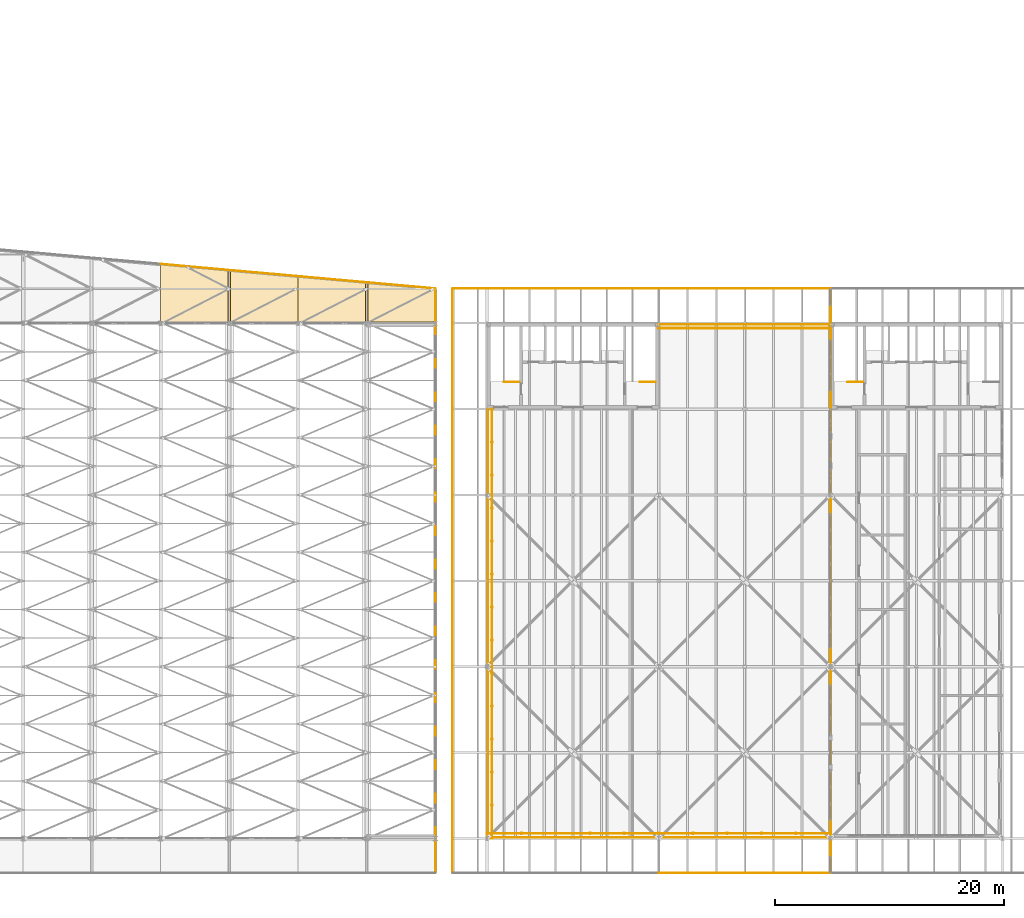
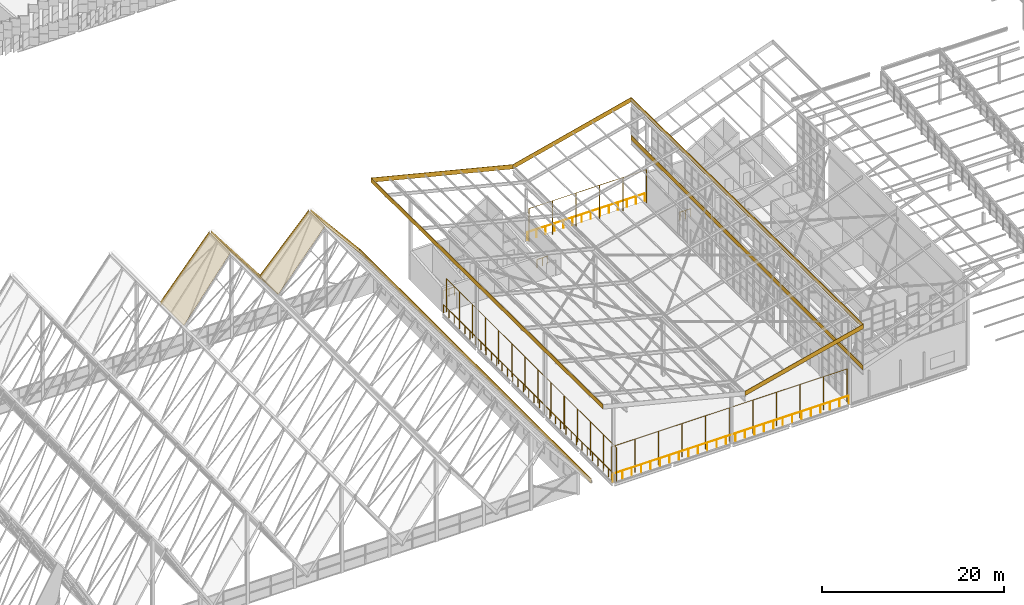
# One storey, part 460 of 483: 15 coverings, 9 railings.
"""IFC4 building model written with IfcOpenShell, lengths in metres."""

from ifc_helpers import new_model, si_unit, direction, frame, origin, origin_2d, place, context, subcontext, project, spatial, polyline, circle, outline, extrude, material, layer, layer_set, type_object, element, save


model = new_model("IFC4")

# Units and contexts
model_context = context("Model", 3, precision=1e-05, world=origin(), true_north=direction((0.0, 1.0)))
body_context = subcontext(model_context, "Body", "Model", "MODEL_VIEW")
ifc_project = project(units=[si_unit("LENGTHUNIT", "METRE"), si_unit("AREAUNIT", "SQUARE_METRE"), si_unit("VOLUMEUNIT", "CUBIC_METRE"), si_unit("PLANEANGLEUNIT", "RADIAN"), si_unit("MASSUNIT", "GRAM", prefix="KILO")], contexts=[model_context])

# Site, building, storey
site_placement = place(None, origin())
site = spatial("IfcSite", under=ifc_project, at=site_placement, CompositionType="ELEMENT")
building_placement = place(site_placement, origin())
building = spatial("IfcBuilding", under=site, at=building_placement, Name="Parallax Yard Mobility Hub", CompositionType="ELEMENT")
storey_placement = place(building_placement, frame((0.0, 0.0, 13.199951171875)))
storey = spatial("IfcBuildingStorey", under=building, at=storey_placement, Name="L04", CompositionType="ELEMENT", Elevation=13.199951171875)

# Railings
ifc_material_1 = material(Name="Galvanised steel posts with polyethylene ball net", Category="steel")
railing_type_1 = type_object("IfcRailingType", Name="Ball-stop cage 4500", PredefinedType="BALUSTRADE", material=ifc_material_1)
railing_1_placement = place(storey_placement, frame((97.949951171875, 7.52099609375, 0.0)))
element("IfcRailing", 1, at=railing_1_placement, inside=storey, type_object=railing_type_1, Name="Ball-stop cage west edge", PredefinedType="BALUSTRADE", context=body_context, shape_type="SweptSolid", body=[
    extrude(circle(Radius=0.030029296875, at=origin_2d()), frame((0.0, 0.0, 4.469970703125), z_axis=(0.0, 1.0, 0.0), x_axis=(-1.0, 0.0, 0.0)), (0.0, 0.0, 1.0), 37.4580078125),
    extrude(circle(Radius=0.05712890625, at=origin_2d()), origin(), (0.0, 0.0, 1.0), 4.43994140625),
    extrude(circle(Radius=0.05712890625, at=origin_2d()), frame((0.0, 2.88134765625, 0.0)), (0.0, 0.0, 1.0), 4.43994140625),
    extrude(circle(Radius=0.05712890625, at=origin_2d()), frame((0.0, 5.7626953125, 0.0)), (0.0, 0.0, 1.0), 4.43994140625),
    extrude(circle(Radius=0.05712890625, at=origin_2d()), frame((0.0, 8.64404296875, 0.0)), (0.0, 0.0, 1.0), 4.43994140625),
    extrude(circle(Radius=0.05712890625, at=origin_2d()), frame((0.0, 11.525634765625, 0.0)), (0.0, 0.0, 1.0), 4.43994140625),
    extrude(circle(Radius=0.05712890625, at=origin_2d()), frame((0.0, 14.406982421875, 0.0)), (0.0, 0.0, 1.0), 4.43994140625),
    extrude(circle(Radius=0.05712890625, at=origin_2d()), frame((0.0, 17.288330078125, 0.0)), (0.0, 0.0, 1.0), 4.43994140625),
    extrude(circle(Radius=0.05712890625, at=origin_2d()), frame((0.0, 20.169677734375, 0.0)), (0.0, 0.0, 1.0), 4.43994140625),
    extrude(circle(Radius=0.05712890625, at=origin_2d()), frame((0.0, 23.051025390625, 0.0)), (0.0, 0.0, 1.0), 4.43994140625),
    extrude(circle(Radius=0.05712890625, at=origin_2d()), frame((0.0, 25.932373046875, 0.0)), (0.0, 0.0, 1.0), 4.43994140625),
    extrude(circle(Radius=0.05712890625, at=origin_2d()), frame((0.0, 28.81396484375, 0.0)), (0.0, 0.0, 1.0), 4.43994140625),
    extrude(circle(Radius=0.05712890625, at=origin_2d()), frame((0.0, 31.6953125, 0.0)), (0.0, 0.0, 1.0), 4.43994140625),
    extrude(circle(Radius=0.05712890625, at=origin_2d()), frame((0.0, 34.57666015625, 0.0)), (0.0, 0.0, 1.0), 4.43994140625),
    extrude(circle(Radius=0.05712890625, at=origin_2d()), frame((0.0, 37.4580078125, 0.0)), (0.0, 0.0, 1.0), 4.43994140625),
])
railing_2_placement = place(storey_placement, frame((97.52099609375, 7.949951171875, 0.0)))
element("IfcRailing", 2, at=railing_2_placement, inside=storey, type_object=railing_type_1, Name="Ball-stop cage south edge", PredefinedType="BALUSTRADE", context=body_context, shape_type="SweptSolid", body=[
    extrude(circle(Radius=0.030029296875, at=origin_2d()), frame((0.0, 0.0, 4.469970703125), z_axis=(1.0, 0.0, 0.0), x_axis=(0.0, 1.0, 0.0)), (0.0, 0.0, 1.0), 29.9580078125),
    extrude(circle(Radius=0.05712890625, at=origin_2d()), origin(), (0.0, 0.0, 1.0), 4.43994140625),
    extrude(circle(Radius=0.05712890625, at=origin_2d()), frame((2.995849609375, 0.0, 0.0)), (0.0, 0.0, 1.0), 4.43994140625),
    extrude(circle(Radius=0.05712890625, at=origin_2d()), frame((5.99169921875, 0.0, 0.0)), (0.0, 0.0, 1.0), 4.43994140625),
    extrude(circle(Radius=0.05712890625, at=origin_2d()), frame((8.9873046875, 0.0, 0.0)), (0.0, 0.0, 1.0), 4.43994140625),
    extrude(circle(Radius=0.05712890625, at=origin_2d()), frame((11.983154296875, 0.0, 0.0)), (0.0, 0.0, 1.0), 4.43994140625),
    extrude(circle(Radius=0.05712890625, at=origin_2d()), frame((14.97900390625, 0.0, 0.0)), (0.0, 0.0, 1.0), 4.43994140625),
    extrude(circle(Radius=0.05712890625, at=origin_2d()), frame((17.974853515625, 0.0, 0.0)), (0.0, 0.0, 1.0), 4.43994140625),
    extrude(circle(Radius=0.05712890625, at=origin_2d()), frame((20.970703125, 0.0, 0.0)), (0.0, 0.0, 1.0), 4.43994140625),
    extrude(circle(Radius=0.05712890625, at=origin_2d()), frame((23.96630859375, 0.0, 0.0)), (0.0, 0.0, 1.0), 4.43994140625),
    extrude(circle(Radius=0.05712890625, at=origin_2d()), frame((26.962158203125, 0.0, 0.0)), (0.0, 0.0, 1.0), 4.43994140625),
    extrude(circle(Radius=0.05712890625, at=origin_2d()), frame((29.9580078125, 0.0, 0.0)), (0.0, 0.0, 1.0), 4.43994140625),
])
railing_3_placement = place(storey_placement, frame((112.52099609375, 52.050048828125, 0.0)))
element("IfcRailing", 3, at=railing_3_placement, inside=storey, type_object=railing_type_1, Name="Ball-stop cage north edge", PredefinedType="BALUSTRADE", context=body_context, shape_type="SweptSolid", body=[
    extrude(circle(Radius=0.030029296875, at=origin_2d()), frame((0.0, 0.0, 4.469970703125), z_axis=(1.0, 0.0, 0.0), x_axis=(0.0, 1.0, 0.0)), (0.0, 0.0, 1.0), 14.9580078125),
    extrude(circle(Radius=0.05712890625, at=origin_2d()), origin(), (0.0, 0.0, 1.0), 4.43994140625),
    extrude(circle(Radius=0.05712890625, at=origin_2d()), frame((2.99169921875, 0.0, 0.0)), (0.0, 0.0, 1.0), 4.43994140625),
    extrude(circle(Radius=0.05712890625, at=origin_2d()), frame((5.983154296875, 0.0, 0.0)), (0.0, 0.0, 1.0), 4.43994140625),
    extrude(circle(Radius=0.05712890625, at=origin_2d()), frame((8.974853515625, 0.0, 0.0)), (0.0, 0.0, 1.0), 4.43994140625),
    extrude(circle(Radius=0.05712890625, at=origin_2d()), frame((11.96630859375, 0.0, 0.0)), (0.0, 0.0, 1.0), 4.43994140625),
    extrude(circle(Radius=0.05712890625, at=origin_2d()), frame((14.9580078125, 0.0, 0.0)), (0.0, 0.0, 1.0), 4.43994140625),
])
ifc_material_2 = material(Name="Galvanised steel tube rail and posts", Category="steel")
railing_type_2 = type_object("IfcRailingType", Name="Deck edge guard 1100", PredefinedType="GUARDRAIL", material=ifc_material_2)
railing_4_placement = place(storey_placement, frame((97.60009765625, 7.52099609375, 0.0)))
element("IfcRailing", 4, at=railing_4_placement, inside=storey, type_object=railing_type_2, Name="Court deck edge guard west edge", PredefinedType="GUARDRAIL", context=body_context, shape_type="SweptSolid", body=[
    extrude(circle(Radius=0.02392578125, at=origin_2d()), frame((0.0, 0.0, 1.076171875), z_axis=(0.0, 1.0, 0.0), x_axis=(-1.0, 0.0, 0.0)), (0.0, 0.0, 1.0), 37.4580078125),
    extrude(circle(Radius=0.02099609375, at=origin_2d()), origin(), (0.0, 0.0, 1.0), 1.052001953125),
    extrude(circle(Radius=0.02099609375, at=origin_2d()), frame((0.0, 1.170654296875, 0.0)), (0.0, 0.0, 1.0), 1.052001953125),
    extrude(circle(Radius=0.02099609375, at=origin_2d()), frame((0.0, 2.341064453125, 0.0)), (0.0, 0.0, 1.0), 1.052001953125),
    extrude(circle(Radius=0.02099609375, at=origin_2d()), frame((0.0, 3.51171875, 0.0)), (0.0, 0.0, 1.0), 1.052001953125),
    extrude(circle(Radius=0.02099609375, at=origin_2d()), frame((0.0, 4.68212890625, 0.0)), (0.0, 0.0, 1.0), 1.052001953125),
    extrude(circle(Radius=0.02099609375, at=origin_2d()), frame((0.0, 5.852783203125, 0.0)), (0.0, 0.0, 1.0), 1.052001953125),
    extrude(circle(Radius=0.02099609375, at=origin_2d()), frame((0.0, 7.0234375, 0.0)), (0.0, 0.0, 1.0), 1.052001953125),
    extrude(circle(Radius=0.02099609375, at=origin_2d()), frame((0.0, 8.19384765625, 0.0)), (0.0, 0.0, 1.0), 1.052001953125),
    extrude(circle(Radius=0.02099609375, at=origin_2d()), frame((0.0, 9.364501953125, 0.0)), (0.0, 0.0, 1.0), 1.052001953125),
    extrude(circle(Radius=0.02099609375, at=origin_2d()), frame((0.0, 10.53515625, 0.0)), (0.0, 0.0, 1.0), 1.052001953125),
    extrude(circle(Radius=0.02099609375, at=origin_2d()), frame((0.0, 11.70556640625, 0.0)), (0.0, 0.0, 1.0), 1.052001953125),
    extrude(circle(Radius=0.02099609375, at=origin_2d()), frame((0.0, 12.876220703125, 0.0)), (0.0, 0.0, 1.0), 1.052001953125),
    extrude(circle(Radius=0.02099609375, at=origin_2d()), frame((0.0, 14.046875, 0.0)), (0.0, 0.0, 1.0), 1.052001953125),
    extrude(circle(Radius=0.02099609375, at=origin_2d()), frame((0.0, 15.21728515625, 0.0)), (0.0, 0.0, 1.0), 1.052001953125),
    extrude(circle(Radius=0.02099609375, at=origin_2d()), frame((0.0, 16.387939453125, 0.0)), (0.0, 0.0, 1.0), 1.052001953125),
    extrude(circle(Radius=0.02099609375, at=origin_2d()), frame((0.0, 17.558349609375, 0.0)), (0.0, 0.0, 1.0), 1.052001953125),
    extrude(circle(Radius=0.02099609375, at=origin_2d()), frame((0.0, 18.72900390625, 0.0)), (0.0, 0.0, 1.0), 1.052001953125),
    extrude(circle(Radius=0.02099609375, at=origin_2d()), frame((0.0, 19.899658203125, 0.0)), (0.0, 0.0, 1.0), 1.052001953125),
    extrude(circle(Radius=0.02099609375, at=origin_2d()), frame((0.0, 21.070068359375, 0.0)), (0.0, 0.0, 1.0), 1.052001953125),
    extrude(circle(Radius=0.02099609375, at=origin_2d()), frame((0.0, 22.24072265625, 0.0)), (0.0, 0.0, 1.0), 1.052001953125),
    extrude(circle(Radius=0.02099609375, at=origin_2d()), frame((0.0, 23.4111328125, 0.0)), (0.0, 0.0, 1.0), 1.052001953125),
    extrude(circle(Radius=0.02099609375, at=origin_2d()), frame((0.0, 24.581787109375, 0.0)), (0.0, 0.0, 1.0), 1.052001953125),
    extrude(circle(Radius=0.02099609375, at=origin_2d()), frame((0.0, 25.75244140625, 0.0)), (0.0, 0.0, 1.0), 1.052001953125),
    extrude(circle(Radius=0.02099609375, at=origin_2d()), frame((0.0, 26.9228515625, 0.0)), (0.0, 0.0, 1.0), 1.052001953125),
    extrude(circle(Radius=0.02099609375, at=origin_2d()), frame((0.0, 28.093505859375, 0.0)), (0.0, 0.0, 1.0), 1.052001953125),
    extrude(circle(Radius=0.02099609375, at=origin_2d()), frame((0.0, 29.26416015625, 0.0)), (0.0, 0.0, 1.0), 1.052001953125),
    extrude(circle(Radius=0.02099609375, at=origin_2d()), frame((0.0, 30.4345703125, 0.0)), (0.0, 0.0, 1.0), 1.052001953125),
    extrude(circle(Radius=0.02099609375, at=origin_2d()), frame((0.0, 31.605224609375, 0.0)), (0.0, 0.0, 1.0), 1.052001953125),
    extrude(circle(Radius=0.02099609375, at=origin_2d()), frame((0.0, 32.77587890625, 0.0)), (0.0, 0.0, 1.0), 1.052001953125),
    extrude(circle(Radius=0.02099609375, at=origin_2d()), frame((0.0, 33.9462890625, 0.0)), (0.0, 0.0, 1.0), 1.052001953125),
    extrude(circle(Radius=0.02099609375, at=origin_2d()), frame((0.0, 35.116943359375, 0.0)), (0.0, 0.0, 1.0), 1.052001953125),
    extrude(circle(Radius=0.02099609375, at=origin_2d()), frame((0.0, 36.287353515625, 0.0)), (0.0, 0.0, 1.0), 1.052001953125),
    extrude(circle(Radius=0.02099609375, at=origin_2d()), frame((0.0, 37.4580078125, 0.0)), (0.0, 0.0, 1.0), 1.052001953125),
])
railing_5_placement = place(storey_placement, frame((97.52099609375, 7.60009765625, 0.0)))
element("IfcRailing", 5, at=railing_5_placement, inside=storey, type_object=railing_type_2, Name="Court deck edge guard south edge", PredefinedType="GUARDRAIL", context=body_context, shape_type="SweptSolid", body=[
    extrude(circle(Radius=0.02392578125, at=origin_2d()), frame((0.0, 0.0, 1.076171875), z_axis=(1.0, 0.0, 0.0), x_axis=(0.0, 1.0, 0.0)), (0.0, 0.0, 1.0), 29.9580078125),
    extrude(circle(Radius=0.02099609375, at=origin_2d()), origin(), (0.0, 0.0, 1.0), 1.052001953125),
    extrude(circle(Radius=0.02099609375, at=origin_2d()), frame((1.1982421875, 0.0, 0.0)), (0.0, 0.0, 1.0), 1.052001953125),
    extrude(circle(Radius=0.02099609375, at=origin_2d()), frame((2.396728515625, 0.0, 0.0)), (0.0, 0.0, 1.0), 1.052001953125),
    extrude(circle(Radius=0.02099609375, at=origin_2d()), frame((3.594970703125, 0.0, 0.0)), (0.0, 0.0, 1.0), 1.052001953125),
    extrude(circle(Radius=0.02099609375, at=origin_2d()), frame((4.793212890625, 0.0, 0.0)), (0.0, 0.0, 1.0), 1.052001953125),
    extrude(circle(Radius=0.02099609375, at=origin_2d()), frame((5.99169921875, 0.0, 0.0)), (0.0, 0.0, 1.0), 1.052001953125),
    extrude(circle(Radius=0.02099609375, at=origin_2d()), frame((7.18994140625, 0.0, 0.0)), (0.0, 0.0, 1.0), 1.052001953125),
    extrude(circle(Radius=0.02099609375, at=origin_2d()), frame((8.38818359375, 0.0, 0.0)), (0.0, 0.0, 1.0), 1.052001953125),
    extrude(circle(Radius=0.02099609375, at=origin_2d()), frame((9.586669921875, 0.0, 0.0)), (0.0, 0.0, 1.0), 1.052001953125),
    extrude(circle(Radius=0.02099609375, at=origin_2d()), frame((10.784912109375, 0.0, 0.0)), (0.0, 0.0, 1.0), 1.052001953125),
    extrude(circle(Radius=0.02099609375, at=origin_2d()), frame((11.983154296875, 0.0, 0.0)), (0.0, 0.0, 1.0), 1.052001953125),
    extrude(circle(Radius=0.02099609375, at=origin_2d()), frame((13.181640625, 0.0, 0.0)), (0.0, 0.0, 1.0), 1.052001953125),
    extrude(circle(Radius=0.02099609375, at=origin_2d()), frame((14.3798828125, 0.0, 0.0)), (0.0, 0.0, 1.0), 1.052001953125),
    extrude(circle(Radius=0.02099609375, at=origin_2d()), frame((15.578125, 0.0, 0.0)), (0.0, 0.0, 1.0), 1.052001953125),
    extrude(circle(Radius=0.02099609375, at=origin_2d()), frame((16.7763671875, 0.0, 0.0)), (0.0, 0.0, 1.0), 1.052001953125),
    extrude(circle(Radius=0.02099609375, at=origin_2d()), frame((17.974853515625, 0.0, 0.0)), (0.0, 0.0, 1.0), 1.052001953125),
    extrude(circle(Radius=0.02099609375, at=origin_2d()), frame((19.173095703125, 0.0, 0.0)), (0.0, 0.0, 1.0), 1.052001953125),
    extrude(circle(Radius=0.02099609375, at=origin_2d()), frame((20.371337890625, 0.0, 0.0)), (0.0, 0.0, 1.0), 1.052001953125),
    extrude(circle(Radius=0.02099609375, at=origin_2d()), frame((21.56982421875, 0.0, 0.0)), (0.0, 0.0, 1.0), 1.052001953125),
    extrude(circle(Radius=0.02099609375, at=origin_2d()), frame((22.76806640625, 0.0, 0.0)), (0.0, 0.0, 1.0), 1.052001953125),
    extrude(circle(Radius=0.02099609375, at=origin_2d()), frame((23.96630859375, 0.0, 0.0)), (0.0, 0.0, 1.0), 1.052001953125),
    extrude(circle(Radius=0.02099609375, at=origin_2d()), frame((25.164794921875, 0.0, 0.0)), (0.0, 0.0, 1.0), 1.052001953125),
    extrude(circle(Radius=0.02099609375, at=origin_2d()), frame((26.363037109375, 0.0, 0.0)), (0.0, 0.0, 1.0), 1.052001953125),
    extrude(circle(Radius=0.02099609375, at=origin_2d()), frame((27.561279296875, 0.0, 0.0)), (0.0, 0.0, 1.0), 1.052001953125),
    extrude(circle(Radius=0.02099609375, at=origin_2d()), frame((28.759765625, 0.0, 0.0)), (0.0, 0.0, 1.0), 1.052001953125),
    extrude(circle(Radius=0.02099609375, at=origin_2d()), frame((29.9580078125, 0.0, 0.0)), (0.0, 0.0, 1.0), 1.052001953125),
])
railing_6_placement = place(storey_placement, frame((112.52099609375, 52.39990234375, 0.0)))
element("IfcRailing", 6, at=railing_6_placement, inside=storey, type_object=railing_type_2, Name="Court deck edge guard north edge", PredefinedType="GUARDRAIL", context=body_context, shape_type="SweptSolid", body=[
    extrude(circle(Radius=0.02392578125, at=origin_2d()), frame((0.0, 0.0, 1.076171875), z_axis=(1.0, 0.0, 0.0), x_axis=(0.0, 1.0, 0.0)), (0.0, 0.0, 1.0), 14.9580078125),
    extrude(circle(Radius=0.02099609375, at=origin_2d()), origin(), (0.0, 0.0, 1.0), 1.052001953125),
    extrude(circle(Radius=0.02099609375, at=origin_2d()), frame((1.150634765625, 0.0, 0.0)), (0.0, 0.0, 1.0), 1.052001953125),
    extrude(circle(Radius=0.02099609375, at=origin_2d()), frame((2.30126953125, 0.0, 0.0)), (0.0, 0.0, 1.0), 1.052001953125),
    extrude(circle(Radius=0.02099609375, at=origin_2d()), frame((3.451904296875, 0.0, 0.0)), (0.0, 0.0, 1.0), 1.052001953125),
    extrude(circle(Radius=0.02099609375, at=origin_2d()), frame((4.6025390625, 0.0, 0.0)), (0.0, 0.0, 1.0), 1.052001953125),
    extrude(circle(Radius=0.02099609375, at=origin_2d()), frame((5.753173828125, 0.0, 0.0)), (0.0, 0.0, 1.0), 1.052001953125),
    extrude(circle(Radius=0.02099609375, at=origin_2d()), frame((6.90380859375, 0.0, 0.0)), (0.0, 0.0, 1.0), 1.052001953125),
    extrude(circle(Radius=0.02099609375, at=origin_2d()), frame((8.05419921875, 0.0, 0.0)), (0.0, 0.0, 1.0), 1.052001953125),
    extrude(circle(Radius=0.02099609375, at=origin_2d()), frame((9.204833984375, 0.0, 0.0)), (0.0, 0.0, 1.0), 1.052001953125),
    extrude(circle(Radius=0.02099609375, at=origin_2d()), frame((10.35546875, 0.0, 0.0)), (0.0, 0.0, 1.0), 1.052001953125),
    extrude(circle(Radius=0.02099609375, at=origin_2d()), frame((11.506103515625, 0.0, 0.0)), (0.0, 0.0, 1.0), 1.052001953125),
    extrude(circle(Radius=0.02099609375, at=origin_2d()), frame((12.65673828125, 0.0, 0.0)), (0.0, 0.0, 1.0), 1.052001953125),
    extrude(circle(Radius=0.02099609375, at=origin_2d()), frame((13.807373046875, 0.0, 0.0)), (0.0, 0.0, 1.0), 1.052001953125),
    extrude(circle(Radius=0.02099609375, at=origin_2d()), frame((14.9580078125, 0.0, 0.0)), (0.0, 0.0, 1.0), 1.052001953125),
])

# Coverings
ifc_material_3 = material(Name="Perforated aluminium soffit panels", Category="aluminium")
ifc_layer_1 = layer(ifc_material_3, 0.02001953125)
ifc_layer_set_1 = layer_set([ifc_layer_1], Name="Eaves soffit lining 20")
covering_type_1 = type_object("IfcCoveringType", Name="Eaves soffit lining 20", PredefinedType="CEILING", material=ifc_layer_set_1)
covering_1_placement = place(storey_placement, frame((75.094482421875, 57.0986328125, 11.365478515625), z_axis=(0.793728576606, 0.0, 0.608272099212), x_axis=(0.607376784571, -0.054236795844, -0.7925602889)))
element("IfcCovering", 7, at=covering_1_placement, inside=storey, type_object=covering_type_1, Name="Eaves soffit north under roof plate P12", PredefinedType="CEILING", context=body_context, shape_type="SweptSolid", body=[
    extrude(outline(polyline([(0.0, 0.0), (9.722988642539297, -1.1102230246251565e-16), (9.93783044248331, -3.955351184284575), (0.24344323525243036, -4.481918737939717), (0.0, 0.0)])), origin(), (0.0, 0.0, -1.0), 0.02001953125),
])
covering_2_placement = place(storey_placement, frame((81.0, 56.5712890625, 3.650634765625), z_axis=(-0.766460807991, 0.0, 0.642291078728), x_axis=(0.641237499516, -0.057253821281, 0.765203547537)))
element("IfcCovering", 8, at=covering_2_placement, inside=storey, type_object=covering_type_1, Name="Eaves soffit north under roof plate P13", PredefinedType="CEILING", context=body_context, shape_type="SweptSolid", body=[
    extrude(outline(polyline([(0.0, 0.0), (9.214893937631171, 5.551115123125783e-17), (9.411480300543921, -3.4279614703137775), (0.2267927857124153, -3.9546839345734526), (0.0, 0.0)])), origin(), (0.0, 0.0, -1.0), 0.02001953125),
])
covering_3_placement = place(storey_placement, frame((87.091064453125, 56.027587890625, 10.701904296875), z_axis=(0.766460807991, 0.0, 0.642291078728), x_axis=(0.641237499516, -0.057253821281, -0.765203547537)))
element("IfcCovering", 9, at=covering_3_placement, inside=storey, type_object=covering_type_1, Name="Eaves soffit north under roof plate P14", PredefinedType="CEILING", context=body_context, shape_type="SweptSolid", body=[
    extrude(outline(polyline([(0.0, 0.0), (9.214893937631171, 5.551115123125783e-17), (9.380351330819327, -2.8851521561507525), (0.1956638159878206, -3.4118746204104275), (0.0, 0.0)])), origin(), (0.0, 0.0, -1.0), 0.02001953125),
])
covering_4_placement = place(storey_placement, frame((69.0, 57.642822265625, 3.659423828125), z_axis=(-0.793728576606, 0.0, 0.608272099212), x_axis=(0.607376784571, -0.054236795844, 0.7925602889)))
element("IfcCovering", 10, at=covering_4_placement, inside=storey, type_object=covering_type_1, Name="Eaves soffit north under roof plate P11", PredefinedType="CEILING", context=body_context, shape_type="SweptSolid", body=[
    extrude(outline(polyline([(0.0, 0.0), (9.722988642539297, -1.1102230246251565e-16), (9.967345534752969, -4.498739645903701), (0.2729583275220886, -5.025307199558843), (0.0, 0.0)])), origin(), (0.0, 0.0, -1.0), 0.02001953125),
])
ifc_material_4 = material(Name="Aluminium composite fascia panel", Category="aluminium")
ifc_layer_2 = layer(ifc_material_4, 0.0400390625)
ifc_layer_set_2 = layer_set([ifc_layer_2], Name="Roof fascia 600")
covering_type_2 = type_object("IfcCoveringType", Name="Roof fascia 600", PredefinedType="CLADDING", material=ifc_layer_set_2)
covering_5_placement = place(storey_placement, frame((81.0, 56.5712890625, 3.856689453125), z_axis=(-0.08894288036, -0.996036728255, 0.0), x_axis=(-0.607376784571, 0.054236795844, 0.7925602889)))
element("IfcCovering", 11, at=covering_5_placement, inside=storey, type_object=covering_type_2, Name="Fascia on roof edge V1-P12-PL edge 3", PredefinedType="CLADDING", context=body_context, shape_type="SweptSolid", body=[
    extrude(outline(polyline([(0.0, 0.0), (9.722988642539297, 0.0), (9.24737507073373, 0.36593568745217286), (-0.47542007564128486, 0.3657868120707841), (0.0, 0.0)])), origin(), (0.0, 0.0, -1.0), 0.0400390625),
])
covering_6_placement = place(storey_placement, frame((86.908935546875, 56.043701171875, 10.888671875), z_axis=(-0.088932667046, -0.996037640219, 0.0), x_axis=(-0.641237499516, 0.057253821281, -0.765203547537)))
element("IfcCovering", 12, at=covering_6_placement, inside=storey, type_object=covering_type_2, Name="Fascia on roof edge V1-P13-PL edge 3", PredefinedType="CLADDING", context=body_context, shape_type="SweptSolid", body=[
    extrude(outline(polyline([(0.0, 0.0), (9.214893937631171, 0.0), (9.673903975789795, 0.38617874757331005), (0.45901003815862423, 0.3861787475733102), (0.0, 0.0)])), origin(), (0.0, 0.0, -1.0), 0.0400390625),
])
covering_7_placement = place(storey_placement, frame((93.0, 4.5, 3.83740234375), z_axis=(-1.0, 0.0, 0.0), x_axis=(0.0, 1.0, 0.0)))
element("IfcCovering", 13, at=covering_7_placement, inside=storey, type_object=covering_type_2, Name="Fascia on roof edge V1-P14-PL edge 2", PredefinedType="CLADDING", context=body_context, shape_type="SweptSolid", body=[
    extrude(outline(polyline([(0.0, 0.0), (51.0, 0.0), (51.0, 0.599853515625), (0.0, 0.599853515625), (0.0, 0.0)])), origin(), (0.0, 0.0, -1.0), 0.0400390625),
])
covering_8_placement = place(storey_placement, frame((93.0, 55.5, 3.83740234375), z_axis=(-0.088932667046, -0.996037640219, 0.0), x_axis=(-0.641237499516, 0.057253821281, 0.765203547537)))
element("IfcCovering", 14, at=covering_8_placement, inside=storey, type_object=covering_type_2, Name="Fascia on roof edge V1-P14-PL edge 3", PredefinedType="CLADDING", context=body_context, shape_type="SweptSolid", body=[
    extrude(outline(polyline([(0.0, 0.0), (9.214893937631171, 0.0), (8.755883899472547, 0.38617874757331005), (-0.45901003815862423, 0.3861787475733102), (0.0, 0.0)])), origin(), (0.0, 0.0, -1.0), 0.0400390625),
])
covering_9_placement = place(storey_placement, frame((74.905517578125, 57.115478515625, 11.562744140625), z_axis=(-0.08894288036, -0.996036728255, 0.0), x_axis=(-0.607376784571, 0.054236795844, -0.7925602889)))
element("IfcCovering", 15, at=covering_9_placement, inside=storey, type_object=covering_type_2, Name="Fascia on roof edge V1-P11-PL edge 3", PredefinedType="CLADDING", context=body_context, shape_type="SweptSolid", body=[
    extrude(outline(polyline([(0.0, 0.0), (9.722988642539297, 0.0), (10.198408718180582, 0.3657868120707839), (0.475613571805567, 0.3659356874521723), (0.0, 0.0)])), origin(), (0.0, 0.0, -1.0), 0.0400390625),
])
covering_10_placement = place(storey_placement, frame((112.5, 55.5, 8.3095703125), z_axis=(0.0, -1.0, 0.0), x_axis=(-0.970142500145, 0.0, 0.242535625036)))
element("IfcCovering", 16, at=covering_10_placement, inside=storey, type_object=covering_type_2, Name="Fascia on roof edge V3-W-PL edge 3", PredefinedType="CLADDING", context=body_context, shape_type="SweptSolid", body=[
    extrude(outline(polyline([(0.0, 0.0), (18.553975315279473, 0.0), (18.408489467937123, 0.5819433893694046), (-0.1454858473423511, 0.5819433893694044), (0.0, 0.0)])), origin(), (0.0, 0.0, -1.0), 0.0400390625),
])
covering_11_placement = place(storey_placement, frame((94.5, 55.5, 12.8095703125), z_axis=(1.0, 0.0, 0.0), x_axis=(0.0, -0.999950001835, 0.009999691492)))
element("IfcCovering", 17, at=covering_11_placement, inside=storey, type_object=covering_type_2, Name="Fascia on roof edge V3-W-PL edge 4", PredefinedType="CLADDING", context=body_context, shape_type="SweptSolid", body=[
    extrude(outline(polyline([(0.0, 0.0), (51.00255003390549, 0.0), (50.99655168380908, 0.5998235240500268), (-0.005998350096414033, 0.5998235240500268), (0.0, 0.0)])), origin(), (0.0, 0.0, -1.0), 0.0400390625),
])
covering_12_placement = place(storey_placement, frame((112.5, 4.5, 8.819580078125), z_axis=(0.0, 1.0, 0.0), x_axis=(0.970142500145, 0.0, 0.242535625036)))
element("IfcCovering", 18, at=covering_12_placement, inside=storey, type_object=covering_type_2, Name="Fascia on roof edge V3-E-PL edge 1", PredefinedType="CLADDING", context=body_context, shape_type="SweptSolid", body=[
    extrude(outline(polyline([(0.0, 0.0), (15.461646096066227, 0.0), (15.316160248723875, 0.5819433893694042), (-0.1454858473423511, 0.5819433893694044), (0.0, 0.0)])), origin(), (0.0, 0.0, -1.0), 0.0400390625),
])
covering_13_placement = place(storey_placement, frame((127.5, 4.5, 12.569580078125), z_axis=(-1.0, 0.0, 0.0), x_axis=(0.0, 0.999950001835, -0.009999691492)))
element("IfcCovering", 19, at=covering_13_placement, inside=storey, type_object=covering_type_2, Name="Fascia on roof edge V3-E-PL edge 2", PredefinedType="CLADDING", context=body_context, shape_type="SweptSolid", body=[
    extrude(outline(polyline([(0.0, 0.0), (51.00255003390549, 0.0), (51.00854838400191, 0.5998235240500268), (0.005998350096414033, 0.5998235240500268), (0.0, 0.0)])), origin(), (0.0, 0.0, -1.0), 0.0400390625),
])
covering_14_placement = place(storey_placement, frame((127.5, 55.5, 12.0595703125), z_axis=(0.0, -1.0, 0.0), x_axis=(-0.970142500145, 0.0, -0.242535625036)))
element("IfcCovering", 20, at=covering_14_placement, inside=storey, type_object=covering_type_2, Name="Fascia on roof edge V3-E-PL edge 3", PredefinedType="CLADDING", context=body_context, shape_type="SweptSolid", body=[
    extrude(outline(polyline([(0.0, 0.0), (15.461646096066227, 0.0), (15.607131943408577, 0.5819433893694042), (0.1454858473423511, 0.5819433893694044), (0.0, 0.0)])), origin(), (0.0, 0.0, -1.0), 0.0400390625),
])
covering_15_placement = place(storey_placement, frame((127.5, 55.5, 7.013916015625), z_axis=(1.0, 0.0, 0.0), x_axis=(0.0, -1.0, 0.0)))
element("IfcCovering", 21, at=covering_15_placement, inside=storey, type_object=covering_type_2, Name="Fascia on roof edge V3-P-PL edge 4", PredefinedType="CLADDING", context=body_context, shape_type="SweptSolid", body=[
    extrude(outline(polyline([(0.0, 0.0), (51.0, 0.0), (51.0, 0.60009765625), (0.0, 0.60009765625), (0.0, 0.0)])), origin(), (0.0, 0.0, -1.0), 0.0400390625),
])

# Railings
ifc_material_5 = material(Name="Steel ASTM A36", Category="steel")
railing_type_3 = type_object("IfcRailingType", Name="Stair guard 1100", PredefinedType="GUARDRAIL", material=ifc_material_5)
railing_7_placement = place(storey_placement, frame((100.35009765625, 47.35009765625, 0.0)))
element("IfcRailing", 22, at=railing_7_placement, inside=storey, type_object=railing_type_3, Name="L04 ST11 top well guard 1", PredefinedType="GUARDRAIL", context=body_context, shape_type="SweptSolid", body=[
    extrude(circle(Radius=0.02392578125, at=origin_2d()), frame((0.0, 0.0, 1.076171875), z_axis=(-1.0, 0.0, 0.0), x_axis=(0.0, -1.0, 0.0)), (0.0, 0.0, 1.0), 1.35009765625),
    extrude(circle(Radius=0.02099609375, at=origin_2d()), origin(), (0.0, 0.0, 1.0), 1.052001953125),
    extrude(circle(Radius=0.02099609375, at=origin_2d()), frame((-0.675048828125, 0.0, 0.0)), (0.0, 0.0, 1.0), 1.052001953125),
    extrude(circle(Radius=0.02099609375, at=origin_2d()), frame((-1.35009765625, 0.0, 0.0)), (0.0, 0.0, 1.0), 1.052001953125),
])
railing_8_placement = place(storey_placement, frame((112.199951171875, 47.35009765625, 0.0)))
element("IfcRailing", 23, at=railing_8_placement, inside=storey, type_object=railing_type_3, Name="L04 ST12 top well guard 1", PredefinedType="GUARDRAIL", context=body_context, shape_type="SweptSolid", body=[
    extrude(circle(Radius=0.02392578125, at=origin_2d()), frame((0.0, 0.0, 1.076171875), z_axis=(-1.0, 0.0, 0.0), x_axis=(0.0, -1.0, 0.0)), (0.0, 0.0, 1.0), 1.349853515625),
    extrude(circle(Radius=0.02099609375, at=origin_2d()), origin(), (0.0, 0.0, 1.0), 1.052001953125),
    extrude(circle(Radius=0.02099609375, at=origin_2d()), frame((-0.6748046875, 0.0, 0.0)), (0.0, 0.0, 1.0), 1.052001953125),
    extrude(circle(Radius=0.02099609375, at=origin_2d()), frame((-1.349853515625, 0.0, 0.0)), (0.0, 0.0, 1.0), 1.052001953125),
])
railing_9_placement = place(storey_placement, frame((130.35009765625, 47.35009765625, 0.0)))
element("IfcRailing", 24, at=railing_9_placement, inside=storey, type_object=railing_type_3, Name="L04 ST13 top well guard 1", PredefinedType="GUARDRAIL", context=body_context, shape_type="SweptSolid", body=[
    extrude(circle(Radius=0.02392578125, at=origin_2d()), frame((0.0, 0.0, 1.076171875), z_axis=(-1.0, 0.0, 0.0), x_axis=(0.0, -1.0, 0.0)), (0.0, 0.0, 1.0), 1.35009765625),
    extrude(circle(Radius=0.02099609375, at=origin_2d()), origin(), (0.0, 0.0, 1.0), 1.052001953125),
    extrude(circle(Radius=0.02099609375, at=origin_2d()), frame((-0.675048828125, 0.0, 0.0)), (0.0, 0.0, 1.0), 1.052001953125),
    extrude(circle(Radius=0.02099609375, at=origin_2d()), frame((-1.35009765625, 0.0, 0.0)), (0.0, 0.0, 1.0), 1.052001953125),
])

save(model, "model.ifc")
